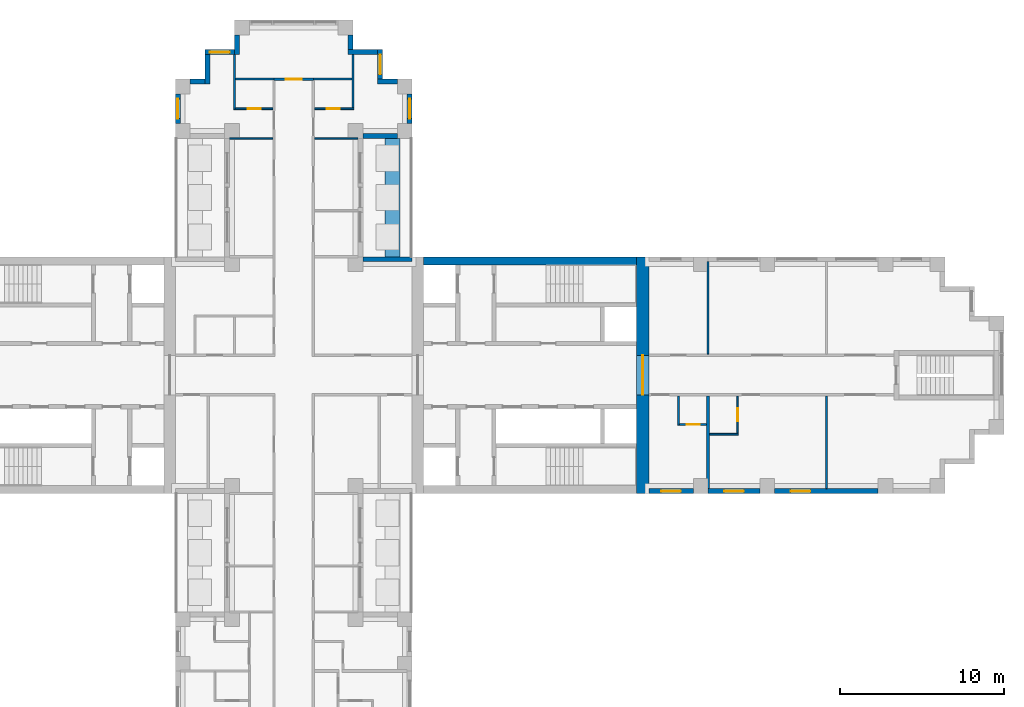
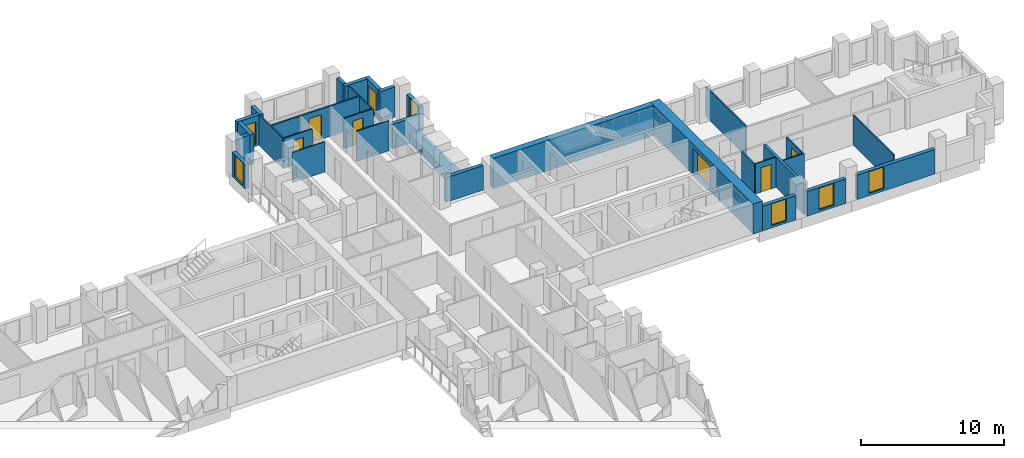
# One storey, part 10 of 14: 34 walls, 7 windows, 6 doors, 13 openings.
"""IFC4 building model written with IfcOpenShell, lengths in metres."""

from ifc_helpers import new_model, si_unit, direction, frame, frame_2d, origin, place, context, subcontext, project, spatial, rectangle, extrude, material, layer, layer_set, type_object, element, fill, save


model = new_model("IFC4")

# Units and contexts
model_context = context("Model", 3, precision=1e-05, world=origin(), true_north=direction((0.0, 1.0)))
body_context = subcontext(model_context, "Body", "Model", "MODEL_VIEW")
ifc_project = project(units=[si_unit("LENGTHUNIT", "METRE"), si_unit("AREAUNIT", "SQUARE_METRE"), si_unit("VOLUMEUNIT", "CUBIC_METRE"), si_unit("PLANEANGLEUNIT", "RADIAN"), si_unit("MASSUNIT", "GRAM", prefix="KILO")], contexts=[model_context])

# Site, building, storey
site_placement = place(None, origin())
site = spatial("IfcSite", under=ifc_project, at=site_placement, CompositionType="ELEMENT")
building_placement = place(site_placement, origin())
building = spatial("IfcBuilding", under=site, at=building_placement, Name="Fustian Cross Tower", CompositionType="ELEMENT")
storey_placement = place(building_placement, frame((0.0, 0.0, 69.89990234375)))
storey = spatial("IfcBuildingStorey", under=building, at=storey_placement, Name="L21", CompositionType="ELEMENT", Elevation=69.89990234375)

# Wall, opening, door
ifc_material_1 = material(Name="Plasterboard on steel stud", Category="steel")
ifc_layer_1 = layer(ifc_material_1, 0.14990234375)
ifc_layer_set_1 = layer_set([ifc_layer_1], Name="Plasterboard on steel stud")
wall_type_1 = type_object("IfcWallType", Name="COMPARTMENT WALL 150 EI 60", PredefinedType="PARTITIONING", material=ifc_layer_set_1)
wall_1_placement = place(storey_placement, frame((-1.199951171875, 18.0, 0.0), z_axis=(0.0, 0.0, 1.0), x_axis=(1.0, 0.0, 0.0)))
wall_1 = element("IfcWall", 1, at=wall_1_placement, inside=storey, type_object=wall_type_1, Name="Partition 51", PredefinedType="PARTITIONING", context=body_context, shape_type="SweptSolid", body=[
    extrude(rectangle(XDim=2.39990234375, YDim=0.14990234375, at=frame_2d((1.199951171875, 0.0))), origin(), (0.0, 0.0, 1.0), 2.5751953125),
])
opening_1_placement = place(wall_1_placement, frame((0.699951171875, 0.0, 0.0)))
opening_1 = element("IfcOpeningElement", 2, at=opening_1_placement, cuts=wall_1, Name="Opening D11017", PredefinedType="OPENING", context=body_context, shape_type="SweptSolid", body=[
    extrude(rectangle(XDim=1.0, YDim=2.10009765625, at=frame_2d((0.5, 1.050048828125))), frame((0.0, 0.0849609375, 0.0), z_axis=(0.0, -1.0, 0.0), x_axis=(1.0, 0.0, 0.0)), (0.0, 0.0, 1.0), 0.169921875),
])
ifc_material_2 = material(Name="Timber fire door set", Category="wood")
door_type_1 = type_object("IfcDoorType", Name="FIRE SWING DOOR 1000 FD30S", OperationType="SINGLE_SWING_LEFT", PredefinedType="DOOR", material=ifc_material_2)
door_1_placement = place(opening_1_placement, origin())
door_1 = element("IfcDoor", 3, at=door_1_placement, inside=storey, type_object=door_type_1, Name="Door D11017", OperationType="SINGLE_SWING_LEFT", OverallHeight=2.10009765625, OverallWidth=1.0, PredefinedType="DOOR", context=body_context, shape_type="SweptSolid", body=[
    extrude(rectangle(XDim=1.0, YDim=2.10009765625, at=frame_2d((0.5, 1.050048828125))), frame((0.0, 0.02490234375, 0.0), z_axis=(0.0, -1.0, 0.0), x_axis=(1.0, 0.0, 0.0)), (0.0, 0.0, 1.0), 0.050048828125),
])
fill(opening_1, door_1)

ifc_material_3 = material(Name="Concrete C70/85", Category="concrete")
ifc_layer_2 = layer(ifc_material_3, 0.75)
ifc_layer_set_2 = layer_set([ifc_layer_2], Name="Concrete C70/85")
wall_type_2 = type_object("IfcWallType", Name="CORE END WALL 750 C70/85", PredefinedType="SHEAR", material=ifc_layer_set_2)
wall_2_placement = place(storey_placement, frame((21.22509765625, -7.199951171875, 0.0), z_axis=(0.0, 0.0, 1.0), x_axis=(0.0, 1.0, 0.0)))
wall_2 = element("IfcWall", 4, at=wall_2_placement, inside=storey, type_object=wall_type_2, Name="Core end wall", PredefinedType="SHEAR", context=body_context, shape_type="SweptSolid", body=[
    extrude(rectangle(XDim=14.39990234375, YDim=0.75, at=frame_2d((7.199951171875, 0.0))), origin(), (0.0, 0.0, 1.0), 2.5751953125),
])
opening_2_placement = place(wall_2_placement, frame((6.0, 0.0, 0.0)))
opening_2 = element("IfcOpeningElement", 5, at=opening_2_placement, cuts=wall_2, Name="Opening CD-09-13", PredefinedType="OPENING", context=body_context, shape_type="SweptSolid", body=[
    extrude(rectangle(XDim=2.39990234375, YDim=2.199951171875, at=frame_2d((1.199951171875, 1.10009765625))), frame((0.0, 0.385009765625, 0.0), z_axis=(0.0, -1.0, 0.0), x_axis=(1.0, 0.0, 0.0)), (0.0, 0.0, 1.0), 0.77001953125),
])
ifc_material_4 = material(Name="Steel", Category="steel")
door_type_2 = type_object("IfcDoorType", Name="FIRE DOOR FD30S DOUBLE 2400X2200", OperationType="DOUBLE_DOOR_DOUBLE_SWING", PredefinedType="DOOR", material=ifc_material_4)
door_2_placement = place(opening_2_placement, origin())
door_2 = element("IfcDoor", 6, at=door_2_placement, inside=storey, type_object=door_type_2, Name="Core door CD-09-13", OperationType="DOUBLE_DOOR_DOUBLE_SWING", OverallHeight=2.199951171875, OverallWidth=2.39990234375, PredefinedType="DOOR", context=body_context, shape_type="SweptSolid", body=[
    extrude(rectangle(XDim=2.39990234375, YDim=2.199951171875, at=frame_2d((1.199951171875, 1.10009765625))), frame((0.0, 0.02490234375, 0.0), z_axis=(0.0, -1.0, 0.0), x_axis=(1.0, 0.0, 0.0)), (0.0, 0.0, 1.0), 0.050048828125),
])
fill(opening_2, door_2)

# Walls
ifc_material_5 = material(Name="Concrete C70/85", Category="concrete")
ifc_layer_3 = layer(ifc_material_5, 0.5)
ifc_layer_set_3 = layer_set([ifc_layer_3], Name="Concrete C70/85")
wall_type_3 = type_object("IfcWallType", Name="CORE FACADE WALL 500 C70/85", PredefinedType="SHEAR", material=ifc_layer_set_3)
wall_3_placement = place(storey_placement, frame((7.89990234375, 6.949951171875, 0.0), z_axis=(0.0, 0.0, 1.0), x_axis=(1.0, 0.0, 0.0)))
element("IfcWall", 7, at=wall_3_placement, inside=storey, type_object=wall_type_3, Name="Core facade wall", PredefinedType="SHEAR", context=body_context, shape_type="SweptSolid", body=[
    extrude(rectangle(XDim=12.9501953125, YDim=0.5, at=frame_2d((6.47509765625, 0.0))), origin(), (0.0, 0.0, 1.0), 2.5751953125),
])
ifc_material_6 = material(Name="Plasterboard on steel stud", Category="steel")
ifc_layer_4 = layer(ifc_material_6, 0.10009765625)
ifc_layer_set_4 = layer_set([ifc_layer_4], Name="Plasterboard on steel stud")
wall_type_4 = type_object("IfcWallType", Name="PARTITION 100 STUD", PredefinedType="PARTITIONING", material=ifc_layer_set_4)
wall_4_placement = place(storey_placement, frame((-3.89990234375, 14.39990234375, 0.0), z_axis=(0.0, 0.0, 1.0), x_axis=(1.0, 0.0, 0.0)))
element("IfcWall", 8, at=wall_4_placement, inside=storey, type_object=wall_type_4, Name="Partition 42", PredefinedType="PARTITIONING", context=body_context, shape_type="SweptSolid", body=[
    extrude(rectangle(XDim=2.625, YDim=0.10009765625, at=frame_2d((1.3125, 0.0))), origin(), (0.0, 0.0, 1.0), 2.5751953125),
])
wall_5_placement = place(storey_placement, frame((-3.60009765625, 16.14990234375, 0.0), z_axis=(0.0, 0.0, 1.0), x_axis=(0.0, 1.0, 0.0)))
element("IfcWall", 9, at=wall_5_placement, inside=storey, type_object=wall_type_4, Name="Partition 44", PredefinedType="PARTITIONING", context=body_context, shape_type="SweptSolid", body=[
    extrude(rectangle(XDim=3.35009765625, YDim=0.10009765625, at=frame_2d((1.675048828125, 0.0))), origin(), (0.0, 0.0, 1.0), 2.5751953125),
])

# Wall, opening, door
wall_6_placement = place(storey_placement, frame((-3.550048828125, 16.199951171875, 0.0), z_axis=(0.0, 0.0, 1.0), x_axis=(1.0, 0.0, 0.0)))
wall_6 = element("IfcWall", 10, at=wall_6_placement, inside=storey, type_object=wall_type_4, Name="Partition 45", PredefinedType="PARTITIONING", context=body_context, shape_type="SweptSolid", body=[
    extrude(rectangle(XDim=2.275146484375, YDim=0.10009765625, at=frame_2d((1.1376953125, 0.0))), origin(), (0.0, 0.0, 1.0), 2.5751953125),
])
opening_3_placement = place(wall_6_placement, frame((0.75, 0.0, 0.0)))
opening_3 = element("IfcOpeningElement", 11, at=opening_3_placement, cuts=wall_6, Name="Opening D11019", PredefinedType="OPENING", context=body_context, shape_type="SweptSolid", body=[
    extrude(rectangle(XDim=0.800048828125, YDim=2.10009765625, at=frame_2d((0.39990234375, 1.050048828125))), frame((0.0, 0.06005859375, 0.0), z_axis=(0.0, -1.0, 0.0), x_axis=(1.0, 0.0, 0.0)), (0.0, 0.0, 1.0), 0.1201171875),
])
ifc_material_7 = material(Name="Painted timber", Category="wood")
door_type_3 = type_object("IfcDoorType", Name="SWING DOOR 800", OperationType="SINGLE_SWING_LEFT", PredefinedType="DOOR", material=ifc_material_7)
door_3_placement = place(opening_3_placement, origin())
door_3 = element("IfcDoor", 12, at=door_3_placement, inside=storey, type_object=door_type_3, Name="Door D11019", OperationType="SINGLE_SWING_LEFT", OverallHeight=2.10009765625, OverallWidth=0.800048828125, PredefinedType="DOOR", context=body_context, shape_type="SweptSolid", body=[
    extrude(rectangle(XDim=0.800048828125, YDim=2.10009765625, at=frame_2d((0.39990234375, 1.050048828125))), frame((0.0, 0.02490234375, 0.0), z_axis=(0.0, -1.0, 0.0), x_axis=(1.0, 0.0, 0.0)), (0.0, 0.0, 1.0), 0.050048828125),
])
fill(opening_3, door_3)

# Wall
wall_7_placement = place(storey_placement, frame((1.27490234375, 14.39990234375, 0.0), z_axis=(0.0, 0.0, 1.0), x_axis=(1.0, 0.0, 0.0)))
element("IfcWall", 13, at=wall_7_placement, inside=storey, type_object=wall_type_4, Name="Partition 64", PredefinedType="PARTITIONING", context=body_context, shape_type="SweptSolid", body=[
    extrude(rectangle(XDim=2.625, YDim=0.10009765625, at=frame_2d((1.3125, 0.0))), origin(), (0.0, 0.0, 1.0), 2.5751953125),
])

# Wall, opening, door
wall_8_placement = place(storey_placement, frame((1.27490234375, 16.199951171875, 0.0), z_axis=(0.0, 0.0, 1.0), x_axis=(1.0, 0.0, 0.0)))
wall_8 = element("IfcWall", 14, at=wall_8_placement, inside=storey, type_object=wall_type_4, Name="Partition 65", PredefinedType="PARTITIONING", context=body_context, shape_type="SweptSolid", body=[
    extrude(rectangle(XDim=2.375, YDim=0.10009765625, at=frame_2d((1.1875, 0.0))), origin(), (0.0, 0.0, 1.0), 2.5751953125),
])
opening_4_placement = place(wall_8_placement, frame((0.72509765625, 0.0, 0.0)))
opening_4 = element("IfcOpeningElement", 15, at=opening_4_placement, cuts=wall_8, Name="Opening D11023", PredefinedType="OPENING", context=body_context, shape_type="SweptSolid", body=[
    extrude(rectangle(XDim=0.800048828125, YDim=2.10009765625, at=frame_2d((0.39990234375, 1.050048828125))), frame((0.0, 0.06005859375, 0.0), z_axis=(0.0, -1.0, 0.0), x_axis=(1.0, 0.0, 0.0)), (0.0, 0.0, 1.0), 0.1201171875),
])
door_4_placement = place(opening_4_placement, origin())
door_4 = element("IfcDoor", 16, at=door_4_placement, inside=storey, type_object=door_type_3, Name="Door D11023", OperationType="SINGLE_SWING_LEFT", OverallHeight=2.10009765625, OverallWidth=0.800048828125, PredefinedType="DOOR", context=body_context, shape_type="SweptSolid", body=[
    extrude(rectangle(XDim=0.800048828125, YDim=2.10009765625, at=frame_2d((0.39990234375, 1.050048828125))), frame((0.0, 0.02490234375, 0.0), z_axis=(0.0, -1.0, 0.0), x_axis=(1.0, 0.0, 0.0)), (0.0, 0.0, 1.0), 0.050048828125),
])
fill(opening_4, door_4)

# Walls
wall_9_placement = place(storey_placement, frame((3.60009765625, 16.25, 0.0), z_axis=(0.0, 0.0, 1.0), x_axis=(0.0, 1.0, 0.0)))
element("IfcWall", 17, at=wall_9_placement, inside=storey, type_object=wall_type_4, Name="Partition 77", PredefinedType="PARTITIONING", context=body_context, shape_type="SweptSolid", body=[
    extrude(rectangle(XDim=3.25, YDim=0.10009765625, at=frame_2d((1.625, 0.0))), origin(), (0.0, 0.0, 1.0), 2.5751953125),
])
wall_10_placement = place(storey_placement, frame((23.39990234375, -3.050048828125, 0.0), z_axis=(0.0, 0.0, 1.0), x_axis=(0.0, 1.0, 0.0)))
element("IfcWall", 18, at=wall_10_placement, inside=storey, type_object=wall_type_4, Name="Partition 86", PredefinedType="PARTITIONING", context=body_context, shape_type="SweptSolid", body=[
    extrude(rectangle(XDim=1.775146484375, YDim=0.10009765625, at=frame_2d((0.8876953125, 0.0))), origin(), (0.0, 0.0, 1.0), 2.5751953125),
])

# Wall, opening, door
wall_11_placement = place(storey_placement, frame((23.449951171875, -3.0, 0.0), z_axis=(0.0, 0.0, 1.0), x_axis=(1.0, 0.0, 0.0)))
wall_11 = element("IfcWall", 19, at=wall_11_placement, inside=storey, type_object=wall_type_4, Name="Partition 87", PredefinedType="PARTITIONING", context=body_context, shape_type="SweptSolid", body=[
    extrude(rectangle(XDim=1.650146484375, YDim=0.10009765625, at=frame_2d((0.8251953125, 0.0))), origin(), (0.0, 0.0, 1.0), 2.5751953125),
])
opening_5_placement = place(wall_11_placement, frame((0.449951171875, 0.0, 0.0)))
opening_5 = element("IfcOpeningElement", 20, at=opening_5_placement, cuts=wall_11, Name="Opening D11012", PredefinedType="OPENING", context=body_context, shape_type="SweptSolid", body=[
    extrude(rectangle(XDim=0.800048828125, YDim=2.10009765625, at=frame_2d((0.39990234375, 1.050048828125))), frame((0.0, 0.06005859375, 0.0), z_axis=(0.0, -1.0, 0.0), x_axis=(1.0, 0.0, 0.0)), (0.0, 0.0, 1.0), 0.1201171875),
])
door_5_placement = place(opening_5_placement, origin())
door_5 = element("IfcDoor", 21, at=door_5_placement, inside=storey, type_object=door_type_3, Name="Door D11012", OperationType="SINGLE_SWING_RIGHT", OverallHeight=2.10009765625, OverallWidth=0.800048828125, PredefinedType="DOOR", context=body_context, shape_type="SweptSolid", body=[
    extrude(rectangle(XDim=0.800048828125, YDim=2.10009765625, at=frame_2d((0.39990234375, 1.050048828125))), frame((0.0, 0.02490234375, 0.0), z_axis=(0.0, -1.0, 0.0), x_axis=(1.0, 0.0, 0.0)), (0.0, 0.0, 1.0), 0.050048828125),
])
fill(opening_5, door_5)

# Walls
wall_12_placement = place(storey_placement, frame((25.300048828125, -3.60009765625, 0.0), z_axis=(0.0, 0.0, 1.0), x_axis=(1.0, 0.0, 0.0)))
element("IfcWall", 22, at=wall_12_placement, inside=storey, type_object=wall_type_4, Name="Partition 89", PredefinedType="PARTITIONING", context=body_context, shape_type="SweptSolid", body=[
    extrude(rectangle(XDim=1.75, YDim=0.10009765625, at=frame_2d((0.875, 0.0))), origin(), (0.0, 0.0, 1.0), 2.5751953125),
])
wall_13_placement = place(storey_placement, frame((25.199951171875, 1.27490234375, 0.0), z_axis=(0.0, 0.0, 1.0), x_axis=(0.0, 1.0, 0.0)))
element("IfcWall", 23, at=wall_13_placement, inside=storey, type_object=wall_type_4, Name="Partition 90", PredefinedType="PARTITIONING", context=body_context, shape_type="SweptSolid", body=[
    extrude(rectangle(XDim=5.625, YDim=0.10009765625, at=frame_2d((2.8125, 0.0))), origin(), (0.0, 0.0, 1.0), 2.5751953125),
])

# Wall, opening, door
wall_14_placement = place(storey_placement, frame((27.0, -3.550048828125, 0.0), z_axis=(0.0, 0.0, 1.0), x_axis=(0.0, 1.0, 0.0)))
wall_14 = element("IfcWall", 24, at=wall_14_placement, inside=storey, type_object=wall_type_4, Name="Partition 91", PredefinedType="PARTITIONING", context=body_context, shape_type="SweptSolid", body=[
    extrude(rectangle(XDim=2.275146484375, YDim=0.10009765625, at=frame_2d((1.1376953125, 0.0))), origin(), (0.0, 0.0, 1.0), 2.5751953125),
])
opening_6_placement = place(wall_14_placement, frame((0.75, 0.0, 0.0)))
opening_6 = element("IfcOpeningElement", 25, at=opening_6_placement, cuts=wall_14, Name="Opening D11014", PredefinedType="OPENING", context=body_context, shape_type="SweptSolid", body=[
    extrude(rectangle(XDim=0.800048828125, YDim=2.10009765625, at=frame_2d((0.39990234375, 1.050048828125))), frame((0.0, 0.06005859375, 0.0), z_axis=(0.0, -1.0, 0.0), x_axis=(1.0, 0.0, 0.0)), (0.0, 0.0, 1.0), 0.1201171875),
])
door_6_placement = place(opening_6_placement, origin())
door_6 = element("IfcDoor", 26, at=door_6_placement, inside=storey, type_object=door_type_3, Name="Door D11014", OperationType="SINGLE_SWING_LEFT", OverallHeight=2.10009765625, OverallWidth=0.800048828125, PredefinedType="DOOR", context=body_context, shape_type="SweptSolid", body=[
    extrude(rectangle(XDim=0.800048828125, YDim=2.10009765625, at=frame_2d((0.39990234375, 1.050048828125))), frame((0.0, 0.02490234375, 0.0), z_axis=(0.0, -1.0, 0.0), x_axis=(1.0, 0.0, 0.0)), (0.0, 0.0, 1.0), 0.050048828125),
])
fill(opening_6, door_6)

# Walls
wall_15_placement = place(storey_placement, frame((32.39990234375, -6.89990234375, 0.0), z_axis=(0.0, 0.0, 1.0), x_axis=(0.0, 1.0, 0.0)))
element("IfcWall", 27, at=wall_15_placement, inside=storey, type_object=wall_type_4, Name="Partition 92", PredefinedType="PARTITIONING", context=body_context, shape_type="SweptSolid", body=[
    extrude(rectangle(XDim=5.625, YDim=0.10009765625, at=frame_2d((2.8125, 0.0))), origin(), (0.0, 0.0, 1.0), 2.5751953125),
])
ifc_material_8 = material(Name="Plasterboard on steel stud", Category="steel")
ifc_layer_5 = layer(ifc_material_8, 0.199951171875)
ifc_layer_set_5 = layer_set([ifc_layer_5], Name="Plasterboard on steel stud")
wall_type_5 = type_object("IfcWallType", Name="PARTY WALL 200 EI 60", PredefinedType="PARTITIONING", material=ifc_layer_set_5)
wall_16_placement = place(storey_placement, frame((25.199951171875, -6.89990234375, 0.0), z_axis=(0.0, 0.0, 1.0), x_axis=(0.0, 1.0, 0.0)))
element("IfcWall", 28, at=wall_16_placement, inside=storey, type_object=wall_type_5, Name="Partition 88", PredefinedType="PARTITIONING", context=body_context, shape_type="SweptSolid", body=[
    extrude(rectangle(XDim=5.625, YDim=0.199951171875, at=frame_2d((2.8125, 0.0))), origin(), (0.0, 0.0, 1.0), 2.5751953125),
])
ifc_material_9 = material(Name="Concrete C40/50", Category="concrete")
ifc_layer_6 = layer(ifc_material_9, 0.89990234375)
ifc_layer_set_6 = layer_set([ifc_layer_6], Name="Concrete C40/50")
wall_type_6 = type_object("IfcWallType", Name="PK1 PLANTER 900", PredefinedType="PARAPET", material=ifc_layer_set_6)
wall_17_placement = place(storey_placement, frame((6.0, 7.199951171875, 0.0), z_axis=(0.0, 0.0, 1.0), x_axis=(0.0, 1.0, 0.0)))
element("IfcWall", 29, at=wall_17_placement, inside=storey, type_object=wall_type_6, Name="PLANTER", PredefinedType="PARAPET", context=body_context, shape_type="SweptSolid", body=[
    extrude(rectangle(XDim=7.199951171875, YDim=0.89990234375, at=frame_2d((3.60009765625, 0.0))), origin(), (0.0, 0.0, 1.0), 0.800048828125),
])
ifc_material_10 = material(Name="Plasterboard on steel stud", Category="steel")
ifc_layer_7 = layer(ifc_material_10, 0.125)
ifc_layer_set_7 = layer_set([ifc_layer_7], Name="Plasterboard on steel stud")
wall_type_7 = type_object("IfcWallType", Name="WET WALL 125 STUD", PredefinedType="PARTITIONING", material=ifc_layer_set_7)
for number, where, z_axis, x_axis, name in (
    (30, (-3.550048828125, 18.0, 0.0), (0.0, 0.0, 1.0), (1.0, 0.0, 0.0), "Partition 46"),
    (31, (1.199951171875, 18.0, 0.0), (0.0, 0.0, 1.0), (1.0, 0.0, 0.0), "Partition 66"),
):
    element("IfcWall", number, at=place(storey_placement, frame(where, z_axis=z_axis, x_axis=x_axis)), inside=storey, type_object=wall_type_7, Name=name, PredefinedType="PARTITIONING", context=body_context, shape_type="SweptSolid", body=[
        extrude(rectangle(XDim=2.35009765625, YDim=0.125, at=frame_2d((1.175048828125, 0.0))), origin(), (0.0, 0.0, 1.0), 2.5751953125),
    ])

# Wall, opening, window
ifc_material_11 = material(Name="Dark aluminium cladding on insulated backing wall", Category="aluminium")
ifc_layer_8 = layer(ifc_material_11, 0.300048828125)
ifc_layer_set_8 = layer_set([ifc_layer_8], Name="Dark aluminium cladding on insulated backing wall")
wall_type_8 = type_object("IfcWallType", Name="XW1 EXTERNAL WALL 300", PredefinedType="SOLIDWALL", material=ifc_layer_set_8)
wall_18_placement = place(storey_placement, frame((21.60009765625, -7.050048828125, 0.0), z_axis=(0.0, 0.0, 1.0), x_axis=(1.0, 0.0, 0.0)))
wall_18 = element("IfcWall", 32, at=wall_18_placement, inside=storey, type_object=wall_type_8, Name="External wall", PredefinedType="SOLIDWALL", context=body_context, shape_type="SweptSolid", body=[
    extrude(rectangle(XDim=2.699951171875, YDim=0.300048828125, at=frame_2d((1.35009765625, 0.0))), origin(), (0.0, 0.0, 1.0), 2.10009765625),
])
opening_7_placement = place(wall_18_placement, frame((0.75, 0.0, 0.199951171875)))
opening_7 = element("IfcOpeningElement", 33, at=opening_7_placement, cuts=wall_18, Name="Opening WN3", PredefinedType="OPENING", context=body_context, shape_type="SweptSolid", body=[
    extrude(rectangle(XDim=1.199951171875, YDim=1.85009765625, at=frame_2d((0.60009765625, 0.925048828125))), frame((0.0, 0.159912109375, 0.0), z_axis=(0.0, -1.0, 0.0), x_axis=(1.0, 0.0, 0.0)), (0.0, 0.0, 1.0), 0.320068359375),
])
ifc_material_12 = material(Name="Dark anodised aluminium and double glazing", Category="aluminium")
window_type = type_object("IfcWindowType", Name="WN3 WINDOW 1200X1850", PartitioningType="SINGLE_PANEL", PredefinedType="WINDOW", material=ifc_material_12)
window_1_placement = place(opening_7_placement, origin())
window_1 = element("IfcWindow", 34, at=window_1_placement, inside=storey, type_object=window_type, Name="Window", OverallHeight=1.85009765625, OverallWidth=1.199951171875, PartitioningType="SINGLE_PANEL", PredefinedType="WINDOW", context=body_context, shape_type="SweptSolid", body=[
    extrude(rectangle(XDim=1.199951171875, YDim=1.85009765625, at=frame_2d((0.60009765625, 0.925048828125))), frame((0.0, 0.030029296875, 0.0), z_axis=(0.0, -1.0, 0.0), x_axis=(1.0, 0.0, 0.0)), (0.0, 0.0, 1.0), 0.06005859375),
])
fill(opening_7, window_1)

wall_19_placement = place(storey_placement, frame((25.199951171875, -7.050048828125, 0.0), z_axis=(0.0, 0.0, 1.0), x_axis=(1.0, 0.0, 0.0)))
wall_19 = element("IfcWall", 35, at=wall_19_placement, inside=storey, type_object=wall_type_8, Name="External wall", PredefinedType="SOLIDWALL", context=body_context, shape_type="SweptSolid", body=[
    extrude(rectangle(XDim=3.150146484375, YDim=0.300048828125, at=frame_2d((1.5751953125, 0.0))), origin(), (0.0, 0.0, 1.0), 2.10009765625),
])
opening_8_placement = place(wall_19_placement, frame((0.97509765625, 0.0, 0.199951171875)))
opening_8 = element("IfcOpeningElement", 36, at=opening_8_placement, cuts=wall_19, Name="Opening WN3", PredefinedType="OPENING", context=body_context, shape_type="SweptSolid", body=[
    extrude(rectangle(XDim=1.199951171875, YDim=1.85009765625, at=frame_2d((0.60009765625, 0.925048828125))), frame((0.0, 0.159912109375, 0.0), z_axis=(0.0, -1.0, 0.0), x_axis=(1.0, 0.0, 0.0)), (0.0, 0.0, 1.0), 0.320068359375),
])
window_2_placement = place(opening_8_placement, origin())
window_2 = element("IfcWindow", 37, at=window_2_placement, inside=storey, type_object=window_type, Name="Window", OverallHeight=1.85009765625, OverallWidth=1.199951171875, PartitioningType="SINGLE_PANEL", PredefinedType="WINDOW", context=body_context, shape_type="SweptSolid", body=[
    extrude(rectangle(XDim=1.199951171875, YDim=1.85009765625, at=frame_2d((0.60009765625, 0.925048828125))), frame((0.0, 0.030029296875, 0.0), z_axis=(0.0, -1.0, 0.0), x_axis=(1.0, 0.0, 0.0)), (0.0, 0.0, 1.0), 0.06005859375),
])
fill(opening_8, window_2)

wall_20_placement = place(storey_placement, frame((29.25, -7.050048828125, 0.0), z_axis=(0.0, 0.0, 1.0), x_axis=(1.0, 0.0, 0.0)))
wall_20 = element("IfcWall", 38, at=wall_20_placement, inside=storey, type_object=wall_type_8, Name="External wall", PredefinedType="SOLIDWALL", context=body_context, shape_type="SweptSolid", body=[
    extrude(rectangle(XDim=6.300048828125, YDim=0.300048828125, at=frame_2d((3.14990234375, 0.0))), origin(), (0.0, 0.0, 1.0), 2.10009765625),
])
opening_9_placement = place(wall_20_placement, frame((0.97509765625, 0.0, 0.199951171875)))
opening_9 = element("IfcOpeningElement", 39, at=opening_9_placement, cuts=wall_20, Name="Opening WN3", PredefinedType="OPENING", context=body_context, shape_type="SweptSolid", body=[
    extrude(rectangle(XDim=1.199951171875, YDim=1.85009765625, at=frame_2d((0.60009765625, 0.925048828125))), frame((0.0, 0.159912109375, 0.0), z_axis=(0.0, -1.0, 0.0), x_axis=(1.0, 0.0, 0.0)), (0.0, 0.0, 1.0), 0.320068359375),
])
window_3_placement = place(opening_9_placement, origin())
window_3 = element("IfcWindow", 40, at=window_3_placement, inside=storey, type_object=window_type, Name="Window", OverallHeight=1.85009765625, OverallWidth=1.199951171875, PartitioningType="SINGLE_PANEL", PredefinedType="WINDOW", context=body_context, shape_type="SweptSolid", body=[
    extrude(rectangle(XDim=1.199951171875, YDim=1.85009765625, at=frame_2d((0.60009765625, 0.925048828125))), frame((0.0, 0.030029296875, 0.0), z_axis=(0.0, -1.0, 0.0), x_axis=(1.0, 0.0, 0.0)), (0.0, 0.0, 1.0), 0.06005859375),
])
fill(opening_9, window_3)

# Walls
wall_21_placement = place(storey_placement, frame((7.199951171875, 7.050048828125, 0.0), z_axis=(0.0, 0.0, 1.0), x_axis=(-1.0, 0.0, 0.0)))
element("IfcWall", 41, at=wall_21_placement, inside=storey, type_object=wall_type_8, Name="External wall", PredefinedType="SOLIDWALL", context=body_context, shape_type="SweptSolid", body=[
    extrude(rectangle(XDim=3.0, YDim=0.300048828125, at=frame_2d((1.5, 0.0))), origin(), (0.0, 0.0, 1.0), 2.10009765625),
])
wall_22_placement = place(storey_placement, frame((4.199951171875, 14.550048828125, 0.0), z_axis=(0.0, 0.0, 1.0), x_axis=(1.0, 0.0, 0.0)))
element("IfcWall", 42, at=wall_22_placement, inside=storey, type_object=wall_type_8, Name="External wall", PredefinedType="SOLIDWALL", context=body_context, shape_type="SweptSolid", body=[
    extrude(rectangle(XDim=2.10009765625, YDim=0.300048828125, at=frame_2d((1.050048828125, 0.0))), origin(), (0.0, 0.0, 1.0), 2.10009765625),
])

# Wall, opening, window
wall_23_placement = place(storey_placement, frame((7.050048828125, 15.300048828125, 0.0), z_axis=(0.0, 0.0, 1.0), x_axis=(0.0, 1.0, 0.0)))
wall_23 = element("IfcWall", 43, at=wall_23_placement, inside=storey, type_object=wall_type_8, Name="External wall", PredefinedType="SOLIDWALL", context=body_context, shape_type="SweptSolid", body=[
    extrude(rectangle(XDim=1.800048828125, YDim=0.300048828125, at=frame_2d((0.89990234375, 0.0))), origin(), (0.0, 0.0, 1.0), 2.10009765625),
])
opening_10_placement = place(wall_23_placement, frame((0.300048828125, 0.0, 0.199951171875)))
opening_10 = element("IfcOpeningElement", 44, at=opening_10_placement, cuts=wall_23, Name="Opening WN3", PredefinedType="OPENING", context=body_context, shape_type="SweptSolid", body=[
    extrude(rectangle(XDim=1.199951171875, YDim=1.85009765625, at=frame_2d((0.60009765625, 0.925048828125))), frame((0.0, 0.159912109375, 0.0), z_axis=(0.0, -1.0, 0.0), x_axis=(1.0, 0.0, 0.0)), (0.0, 0.0, 1.0), 0.320068359375),
])
window_4_placement = place(opening_10_placement, origin())
window_4 = element("IfcWindow", 45, at=window_4_placement, inside=storey, type_object=window_type, Name="Window", OverallHeight=1.85009765625, OverallWidth=1.199951171875, PartitioningType="SINGLE_PANEL", PredefinedType="WINDOW", context=body_context, shape_type="SweptSolid", body=[
    extrude(rectangle(XDim=1.199951171875, YDim=1.85009765625, at=frame_2d((0.60009765625, 0.925048828125))), frame((0.0, 0.030029296875, 0.0), z_axis=(0.0, -1.0, 0.0), x_axis=(1.0, 0.0, 0.0)), (0.0, 0.0, 1.0), 0.06005859375),
])
fill(opening_10, window_4)

# Wall
wall_24_placement = place(storey_placement, frame((6.300048828125, 17.85009765625, 0.0), z_axis=(0.0, 0.0, 1.0), x_axis=(-1.0, 0.0, 0.0)))
element("IfcWall", 46, at=wall_24_placement, inside=storey, type_object=wall_type_8, Name="External wall", PredefinedType="SOLIDWALL", context=body_context, shape_type="SweptSolid", body=[
    extrude(rectangle(XDim=1.199951171875, YDim=0.300048828125, at=frame_2d((0.60009765625, 0.0))), origin(), (0.0, 0.0, 1.0), 2.5751953125),
])

# Wall, opening, window
wall_25_placement = place(storey_placement, frame((5.25, 18.0, 0.0), z_axis=(0.0, 0.0, 1.0), x_axis=(0.0, 1.0, 0.0)))
wall_25 = element("IfcWall", 47, at=wall_25_placement, inside=storey, type_object=wall_type_8, Name="External wall", PredefinedType="SOLIDWALL", context=body_context, shape_type="SweptSolid", body=[
    extrude(rectangle(XDim=1.800048828125, YDim=0.300048828125, at=frame_2d((0.89990234375, 0.0))), origin(), (0.0, 0.0, 1.0), 2.5751953125),
])
opening_11_placement = place(wall_25_placement, frame((0.300048828125, 0.0, 0.199951171875)))
opening_11 = element("IfcOpeningElement", 48, at=opening_11_placement, cuts=wall_25, Name="Opening WN3", PredefinedType="OPENING", context=body_context, shape_type="SweptSolid", body=[
    extrude(rectangle(XDim=1.199951171875, YDim=1.85009765625, at=frame_2d((0.60009765625, 0.925048828125))), frame((0.0, 0.159912109375, 0.0), z_axis=(0.0, -1.0, 0.0), x_axis=(1.0, 0.0, 0.0)), (0.0, 0.0, 1.0), 0.320068359375),
])
window_5_placement = place(opening_11_placement, origin())
window_5 = element("IfcWindow", 49, at=window_5_placement, inside=storey, type_object=window_type, Name="Window", OverallHeight=1.85009765625, OverallWidth=1.199951171875, PartitioningType="SINGLE_PANEL", PredefinedType="WINDOW", context=body_context, shape_type="SweptSolid", body=[
    extrude(rectangle(XDim=1.199951171875, YDim=1.85009765625, at=frame_2d((0.60009765625, 0.925048828125))), frame((0.0, 0.030029296875, 0.0), z_axis=(0.0, -1.0, 0.0), x_axis=(1.0, 0.0, 0.0)), (0.0, 0.0, 1.0), 0.06005859375),
])
fill(opening_11, window_5)

# Walls
wall_26_placement = place(storey_placement, frame((5.10009765625, 19.64990234375, 0.0), z_axis=(0.0, 0.0, 1.0), x_axis=(-1.0, 0.0, 0.0)))
element("IfcWall", 50, at=wall_26_placement, inside=storey, type_object=wall_type_8, Name="External wall", PredefinedType="SOLIDWALL", context=body_context, shape_type="SweptSolid", body=[
    extrude(rectangle(XDim=1.800048828125, YDim=0.300048828125, at=frame_2d((0.89990234375, 0.0))), origin(), (0.0, 0.0, 1.0), 2.5751953125),
])
wall_27_placement = place(storey_placement, frame((3.449951171875, 19.800048828125, 0.0), z_axis=(0.0, 0.0, 1.0), x_axis=(0.0, 1.0, 0.0)))
element("IfcWall", 51, at=wall_27_placement, inside=storey, type_object=wall_type_8, Name="External wall", PredefinedType="SOLIDWALL", context=body_context, shape_type="SweptSolid", body=[
    extrude(rectangle(XDim=0.89990234375, YDim=0.300048828125, at=frame_2d((0.449951171875, 0.0))), origin(), (0.0, 0.0, 1.0), 2.5751953125),
])
wall_28_placement = place(storey_placement, frame((-3.449951171875, 20.699951171875, 0.0), z_axis=(0.0, 0.0, 1.0), x_axis=(0.0, -1.0, 0.0)))
element("IfcWall", 52, at=wall_28_placement, inside=storey, type_object=wall_type_8, Name="External wall", PredefinedType="SOLIDWALL", context=body_context, shape_type="SweptSolid", body=[
    extrude(rectangle(XDim=1.199951171875, YDim=0.300048828125, at=frame_2d((0.60009765625, 0.0))), origin(), (0.0, 0.0, 1.0), 2.5751953125),
])

# Wall, opening, window
wall_29_placement = place(storey_placement, frame((-3.60009765625, 19.64990234375, 0.0), z_axis=(0.0, 0.0, 1.0), x_axis=(-1.0, 0.0, 0.0)))
wall_29 = element("IfcWall", 53, at=wall_29_placement, inside=storey, type_object=wall_type_8, Name="External wall", PredefinedType="SOLIDWALL", context=body_context, shape_type="SweptSolid", body=[
    extrude(rectangle(XDim=1.7998046875, YDim=0.300048828125, at=frame_2d((0.89990234375, 0.0))), origin(), (0.0, 0.0, 1.0), 2.5751953125),
])
opening_12_placement = place(wall_29_placement, frame((0.300048828125, 0.0, 0.199951171875)))
opening_12 = element("IfcOpeningElement", 54, at=opening_12_placement, cuts=wall_29, Name="Opening WN3", PredefinedType="OPENING", context=body_context, shape_type="SweptSolid", body=[
    extrude(rectangle(XDim=1.199951171875, YDim=1.85009765625, at=frame_2d((0.60009765625, 0.925048828125))), frame((0.0, 0.159912109375, 0.0), z_axis=(0.0, -1.0, 0.0), x_axis=(1.0, 0.0, 0.0)), (0.0, 0.0, 1.0), 0.320068359375),
])
window_6_placement = place(opening_12_placement, origin())
window_6 = element("IfcWindow", 55, at=window_6_placement, inside=storey, type_object=window_type, Name="Window", OverallHeight=1.85009765625, OverallWidth=1.199951171875, PartitioningType="SINGLE_PANEL", PredefinedType="WINDOW", context=body_context, shape_type="SweptSolid", body=[
    extrude(rectangle(XDim=1.199951171875, YDim=1.85009765625, at=frame_2d((0.60009765625, 0.925048828125))), frame((0.0, 0.030029296875, 0.0), z_axis=(0.0, -1.0, 0.0), x_axis=(1.0, 0.0, 0.0)), (0.0, 0.0, 1.0), 0.06005859375),
])
fill(opening_12, window_6)

# Walls
wall_30_placement = place(storey_placement, frame((-5.25, 19.5, 0.0), z_axis=(0.0, 0.0, 1.0), x_axis=(0.0, -1.0, 0.0)))
element("IfcWall", 56, at=wall_30_placement, inside=storey, type_object=wall_type_8, Name="External wall", PredefinedType="SOLIDWALL", context=body_context, shape_type="SweptSolid", body=[
    extrude(rectangle(XDim=1.800048828125, YDim=0.300048828125, at=frame_2d((0.89990234375, 0.0))), origin(), (0.0, 0.0, 1.0), 2.5751953125),
])
wall_31_placement = place(storey_placement, frame((-5.39990234375, 17.85009765625, 0.0), z_axis=(0.0, 0.0, 1.0), x_axis=(-1.0, 0.0, 0.0)))
element("IfcWall", 57, at=wall_31_placement, inside=storey, type_object=wall_type_8, Name="External wall", PredefinedType="SOLIDWALL", context=body_context, shape_type="SweptSolid", body=[
    extrude(rectangle(XDim=0.900146484375, YDim=0.300048828125, at=frame_2d((0.4501953125, 0.0))), origin(), (0.0, 0.0, 1.0), 2.5751953125),
])

# Wall, opening, window
wall_32_placement = place(storey_placement, frame((-7.050048828125, 17.10009765625, 0.0), z_axis=(0.0, 0.0, 1.0), x_axis=(0.0, -1.0, 0.0)))
wall_32 = element("IfcWall", 58, at=wall_32_placement, inside=storey, type_object=wall_type_8, Name="External wall", PredefinedType="SOLIDWALL", context=body_context, shape_type="SweptSolid", body=[
    extrude(rectangle(XDim=1.800048828125, YDim=0.300048828125, at=frame_2d((0.89990234375, 0.0))), origin(), (0.0, 0.0, 1.0), 2.10009765625),
])
opening_13_placement = place(wall_32_placement, frame((0.300048828125, 0.0, 0.199951171875)))
opening_13 = element("IfcOpeningElement", 59, at=opening_13_placement, cuts=wall_32, Name="Opening WN3", PredefinedType="OPENING", context=body_context, shape_type="SweptSolid", body=[
    extrude(rectangle(XDim=1.199951171875, YDim=1.85009765625, at=frame_2d((0.60009765625, 0.925048828125))), frame((0.0, 0.159912109375, 0.0), z_axis=(0.0, -1.0, 0.0), x_axis=(1.0, 0.0, 0.0)), (0.0, 0.0, 1.0), 0.320068359375),
])
window_7_placement = place(opening_13_placement, origin())
window_7 = element("IfcWindow", 60, at=window_7_placement, inside=storey, type_object=window_type, Name="Window", OverallHeight=1.85009765625, OverallWidth=1.199951171875, PartitioningType="SINGLE_PANEL", PredefinedType="WINDOW", context=body_context, shape_type="SweptSolid", body=[
    extrude(rectangle(XDim=1.199951171875, YDim=1.85009765625, at=frame_2d((0.60009765625, 0.925048828125))), frame((0.0, 0.030029296875, 0.0), z_axis=(0.0, -1.0, 0.0), x_axis=(1.0, 0.0, 0.0)), (0.0, 0.0, 1.0), 0.06005859375),
])
fill(opening_13, window_7)

save(model, "model.ifc")
